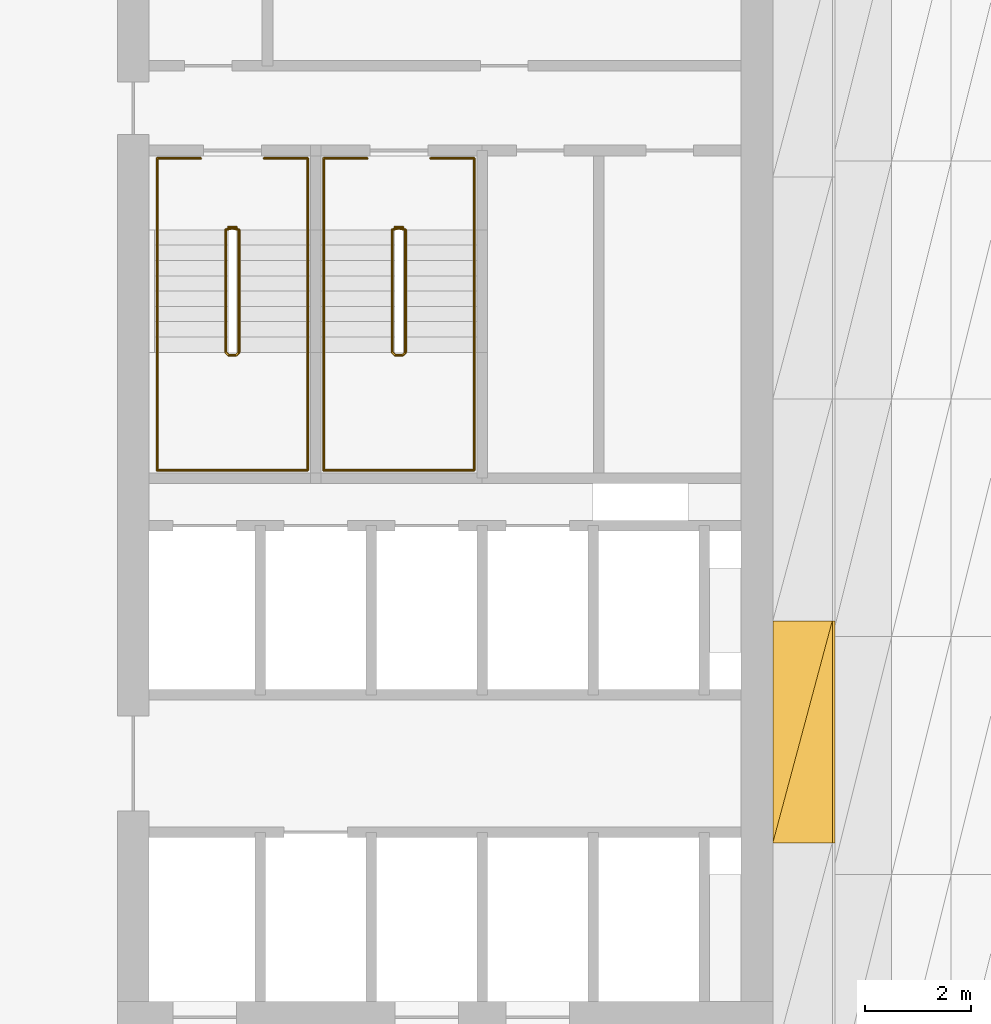
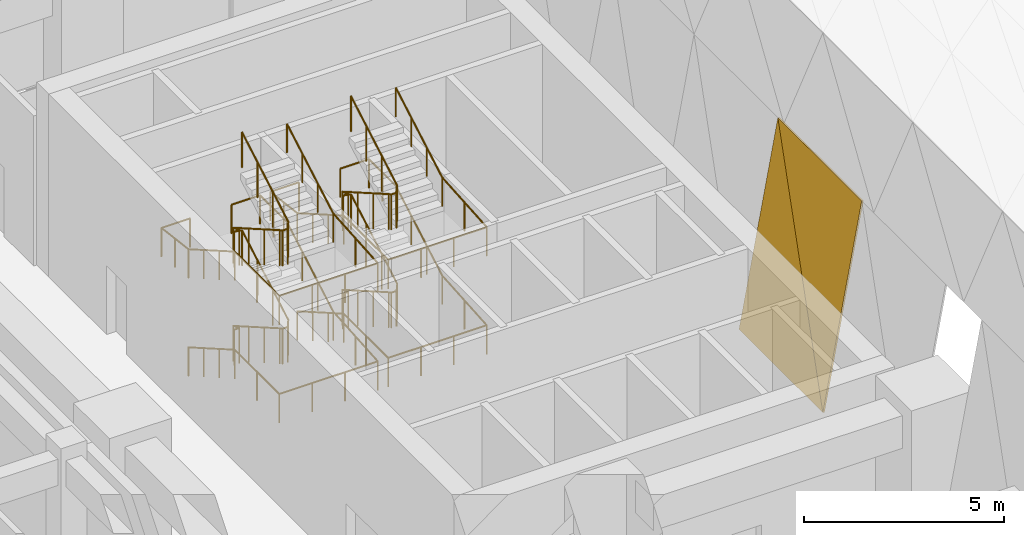
# One storey, part 41 of 46: 6 railings, 2 coverings.
"""IFC4 building model written with IfcOpenShell, lengths in metres."""

from ifc_helpers import new_model, si_unit, direction, frame, origin, origin_2d, place, context, subcontext, project, spatial, polyline, circle, outline, extrude, material, layer, layer_set, type_object, element, save


model = new_model("IFC4")

# Units and contexts
model_context = context("Model", 3, precision=1e-05, world=origin(), true_north=direction((0.0, 1.0)))
body_context = subcontext(model_context, "Body", "Model", "MODEL_VIEW")
ifc_project = project(units=[si_unit("LENGTHUNIT", "METRE"), si_unit("AREAUNIT", "SQUARE_METRE"), si_unit("VOLUMEUNIT", "CUBIC_METRE"), si_unit("PLANEANGLEUNIT", "RADIAN"), si_unit("MASSUNIT", "GRAM", prefix="KILO")], contexts=[model_context])

# Site, building, storey
site_placement = place(None, origin())
site = spatial("IfcSite", under=ifc_project, at=site_placement, CompositionType="ELEMENT")
building_placement = place(site_placement, origin())
building = spatial("IfcBuilding", under=site, at=building_placement, Name="Tessera Arch", CompositionType="ELEMENT")
storey_placement = place(building_placement, frame((0.0, 0.0, 8.0)))
storey = spatial("IfcBuildingStorey", under=building, at=storey_placement, Name="L01", CompositionType="ELEMENT", Elevation=8.0)

# Coverings
ifc_material_1 = material(Name="Aluminium cladding pale metal anodised", Category="aluminium")
ifc_layer = layer(ifc_material_1, 0.050048828125)
ifc_layer_set = layer_set([ifc_layer], Name="Arch soffit panel")
covering_type = type_object("IfcCoveringType", Name="Arch soffit panel", PredefinedType="CLADDING", material=ifc_layer_set)
covering_1_placement = place(storey_placement, frame((18.0, 32.10009765625, 2.0), z_axis=(-0.98331706381, 0.0, 0.181899840628), x_axis=(0.181899840628, 0.0, 0.98331706381)))
element("IfcCovering", 1, at=covering_1_placement, inside=storey, type_object=covering_type, Name="Arch soffit panel 1-8-1", PredefinedType="CLADDING", context=body_context, shape_type="SweptSolid", body=[
    extrude(outline(polyline([(0.0, 0.0), (6.184722296170829, 0.0), (6.184722296170829, 4.199951171875), (0.0, 0.0)])), origin(), (0.0, 0.0, -1.0), 0.050048828125),
])
covering_2_placement = place(storey_placement, frame((18.0, 32.10009765625, 2.0), z_axis=(-0.98331706381, 0.0, 0.181899840628), x_axis=(0.150481805158, 0.561792207927, 0.81347694585)))
element("IfcCovering", 2, at=covering_2_placement, inside=storey, type_object=covering_type, Name="Arch soffit panel 1-8-2", PredefinedType="CLADDING", context=body_context, shape_type="SweptSolid", body=[
    extrude(outline(polyline([(0.0, 0.0), (7.475986873108242, 4.440892098500626e-16), (2.3594998420322653, 3.474528794179709), (0.0, 0.0)])), origin(), (0.0, 0.0, -1.0), 0.050048828125),
])

# Railings
ifc_material_2 = material(Name="Painted steel balustrade", Category="steel")
railing_type_1 = type_object("IfcRailingType", Name="Stair guard 1100", PredefinedType="GUARDRAIL", material=ifc_material_2)
railing_1_placement = place(storey_placement, frame((7.699951171875, 43.75, 0.0)))
element("IfcRailing", 3, at=railing_1_placement, inside=storey, type_object=railing_type_1, Name="L01 S2a stair guard 1", PredefinedType="GUARDRAIL", context=body_context, shape_type="SweptSolid", body=[
    extrude(circle(Radius=0.02392578125, at=origin_2d()), frame((-0.00390625, 0.0, 1.076171875), z_axis=(1.0, 0.0, 0.0), x_axis=(0.0, 1.0, 0.0)), (0.0, 0.0, 1.0), 0.158203125),
    extrude(circle(Radius=0.02392578125, at=origin_2d()), frame((0.153076171875, 0.000732421875, 1.073486328125), z_axis=(-0.75457900375, -0.188644750937, 0.628509097026), x_axis=(0.242535625036, -0.970142500145, 0.0)), (0.0, 0.0, 1.0), 0.273193359375),
    extrude(circle(Radius=0.02392578125, at=origin_2d()), frame((-0.050048828125, -0.046630859375, 1.24072265625), z_axis=(0.0, -0.867033425039, 0.498249977285), x_axis=(1.0, 0.0, 0.0)), (0.0, 0.0, 1.0), 2.683837890625),
    extrude(circle(Radius=0.02392578125, at=origin_2d()), frame((-0.052978515625, -2.3671875, 2.576171875), z_axis=(0.708833529934, -0.705375805398, 0.0), x_axis=(0.705375805398, 0.708833529934, 0.0)), (0.0, 0.0, 1.0), 0.07861328125),
    extrude(circle(Radius=0.02392578125, at=origin_2d()), frame((-0.00390625, -2.419921875, 2.576171875), z_axis=(1.0, 0.0, 0.0), x_axis=(0.0, 1.0, 0.0)), (0.0, 0.0, 1.0), 0.158203125),
    extrude(circle(Radius=0.02392578125, at=origin_2d()), frame((0.14892578125, -2.421142578125, 2.572265625), z_axis=(0.275143339093, 0.275143339093, 0.92119068922), x_axis=(-0.707106781187, 0.707106781187, 0.0)), (0.0, 0.0, 1.0), 0.18896484375),
    extrude(circle(Radius=0.02392578125, at=origin_2d()), frame((0.199951171875, -2.37353515625, 2.74072265625), z_axis=(0.0, 0.867033425039, 0.498249977285), x_axis=(-1.0, 0.0, 0.0)), (0.0, 0.0, 1.0), 2.683837890625),
    extrude(circle(Radius=0.02392578125, at=origin_2d()), frame((0.203857421875, -0.051025390625, 4.076171875), z_axis=(-0.970072785993, 0.242814311512, 0.0), x_axis=(-0.242814311512, -0.970072785993, 0.0)), (0.0, 0.0, 1.0), 0.214111328125),
    extrude(circle(Radius=0.02392578125, at=origin_2d()), frame((-0.00390625, 0.0, 4.076171875), z_axis=(1.0, 0.0, 0.0), x_axis=(0.0, 1.0, 0.0)), (0.0, 0.0, 1.0), 0.158203125),
    extrude(circle(Radius=0.02392578125, at=origin_2d()), frame((0.153076171875, 0.000732421875, 4.073486328125), z_axis=(-0.75457900375, -0.188644750937, 0.628509097026), x_axis=(0.242535625036, -0.970142500145, 0.0)), (0.0, 0.0, 1.0), 0.273193359375),
    extrude(circle(Radius=0.02392578125, at=origin_2d()), frame((-0.050048828125, -0.046630859375, 4.24072265625), z_axis=(0.0, -0.867033425039, 0.498249977285), x_axis=(1.0, 0.0, 0.0)), (0.0, 0.0, 1.0), 2.683837890625),
    extrude(circle(Radius=0.02392578125, at=origin_2d()), frame((-0.052978515625, -2.3671875, 5.576171875), z_axis=(0.708833529934, -0.705375805398, 0.0), x_axis=(0.705375805398, 0.708833529934, 0.0)), (0.0, 0.0, 1.0), 0.07861328125),
    extrude(circle(Radius=0.02392578125, at=origin_2d()), frame((-0.00390625, -2.419921875, 5.576171875), z_axis=(1.0, 0.0, 0.0), x_axis=(0.0, 1.0, 0.0)), (0.0, 0.0, 1.0), 0.158203125),
    extrude(circle(Radius=0.02392578125, at=origin_2d()), frame((0.14892578125, -2.421142578125, 5.572265625), z_axis=(0.275143339093, 0.275143339093, 0.92119068922), x_axis=(-0.707106781187, 0.707106781187, 0.0)), (0.0, 0.0, 1.0), 0.18896484375),
    extrude(circle(Radius=0.02392578125, at=origin_2d()), frame((0.199951171875, -2.37353515625, 5.74072265625), z_axis=(0.0, 0.867033425039, 0.498249977285), x_axis=(-1.0, 0.0, 0.0)), (0.0, 0.0, 1.0), 2.683837890625),
    extrude(circle(Radius=0.02099609375, at=origin_2d()), origin(), (0.0, 0.0, 1.0), 1.06396484375),
    extrude(circle(Radius=0.02099609375, at=origin_2d()), frame((0.150146484375, 0.0, 0.0)), (0.0, 0.0, 1.0), 1.06396484375),
    extrude(circle(Radius=0.02099609375, at=origin_2d()), frame((-0.050048828125, -0.050048828125, 0.166748046875)), (0.0, 0.0, 1.0), 1.06396484375),
    extrude(circle(Radius=0.02099609375, at=origin_2d()), frame((-0.050048828125, -0.823486328125, 0.611083984375)), (0.0, 0.0, 1.0), 1.06396484375),
    extrude(circle(Radius=0.02099609375, at=origin_2d()), frame((-0.050048828125, -1.5966796875, 1.0556640625)), (0.0, 0.0, 1.0), 1.06396484375),
    extrude(circle(Radius=0.02099609375, at=origin_2d()), frame((-0.050048828125, -2.3701171875, 1.5)), (0.0, 0.0, 1.0), 1.06396484375),
    extrude(circle(Radius=0.02099609375, at=origin_2d()), frame((0.0, -2.419921875, 1.5)), (0.0, 0.0, 1.0), 1.06396484375),
    extrude(circle(Radius=0.02099609375, at=origin_2d()), frame((0.150146484375, -2.419921875, 1.5)), (0.0, 0.0, 1.0), 1.06396484375),
    extrude(circle(Radius=0.02099609375, at=origin_2d()), frame((0.199951171875, -2.3701171875, 1.666748046875)), (0.0, 0.0, 1.0), 1.06396484375),
    extrude(circle(Radius=0.02099609375, at=origin_2d()), frame((0.199951171875, -1.5966796875, 2.111083984375)), (0.0, 0.0, 1.0), 1.06396484375),
    extrude(circle(Radius=0.02099609375, at=origin_2d()), frame((0.199951171875, -0.823486328125, 2.5556640625)), (0.0, 0.0, 1.0), 1.06396484375),
    extrude(circle(Radius=0.02099609375, at=origin_2d()), frame((0.199951171875, -0.050048828125, 3.0)), (0.0, 0.0, 1.0), 1.06396484375),
    extrude(circle(Radius=0.02099609375, at=origin_2d()), frame((0.0, 0.0, 3.0)), (0.0, 0.0, 1.0), 1.06396484375),
    extrude(circle(Radius=0.02099609375, at=origin_2d()), frame((0.150146484375, 0.0, 3.0)), (0.0, 0.0, 1.0), 1.06396484375),
    extrude(circle(Radius=0.02099609375, at=origin_2d()), frame((-0.050048828125, -0.050048828125, 3.166748046875)), (0.0, 0.0, 1.0), 1.06396484375),
    extrude(circle(Radius=0.02099609375, at=origin_2d()), frame((-0.050048828125, -0.823486328125, 3.611083984375)), (0.0, 0.0, 1.0), 1.06396484375),
    extrude(circle(Radius=0.02099609375, at=origin_2d()), frame((-0.050048828125, -1.5966796875, 4.0556640625)), (0.0, 0.0, 1.0), 1.06396484375),
    extrude(circle(Radius=0.02099609375, at=origin_2d()), frame((-0.050048828125, -2.3701171875, 4.5)), (0.0, 0.0, 1.0), 1.06396484375),
    extrude(circle(Radius=0.02099609375, at=origin_2d()), frame((0.0, -2.419921875, 4.5)), (0.0, 0.0, 1.0), 1.06396484375),
    extrude(circle(Radius=0.02099609375, at=origin_2d()), frame((0.150146484375, -2.419921875, 4.5)), (0.0, 0.0, 1.0), 1.06396484375),
    extrude(circle(Radius=0.02099609375, at=origin_2d()), frame((0.199951171875, -2.3701171875, 4.666748046875)), (0.0, 0.0, 1.0), 1.06396484375),
    extrude(circle(Radius=0.02099609375, at=origin_2d()), frame((0.199951171875, -1.5966796875, 5.111083984375)), (0.0, 0.0, 1.0), 1.06396484375),
    extrude(circle(Radius=0.02099609375, at=origin_2d()), frame((0.199951171875, -0.823486328125, 5.5556640625)), (0.0, 0.0, 1.0), 1.06396484375),
    extrude(circle(Radius=0.02099609375, at=origin_2d()), frame((0.199951171875, -0.050048828125, 6.0)), (0.0, 0.0, 1.0), 1.06396484375),
])
railing_2_placement = place(storey_placement, frame((10.85009765625, 43.75, 0.0)))
element("IfcRailing", 4, at=railing_2_placement, inside=storey, type_object=railing_type_1, Name="L01 S2b stair guard 1", PredefinedType="GUARDRAIL", context=body_context, shape_type="SweptSolid", body=[
    extrude(circle(Radius=0.02392578125, at=origin_2d()), frame((-0.00390625, 0.0, 1.076171875), z_axis=(1.0, 0.0, 0.0), x_axis=(0.0, 1.0, 0.0)), (0.0, 0.0, 1.0), 0.157958984375),
    extrude(circle(Radius=0.02392578125, at=origin_2d()), frame((0.15283203125, 0.000732421875, 1.073486328125), z_axis=(-0.754182335027, -0.188775798145, 0.628945707965), x_axis=(0.242814311512, -0.970072785993, 0.0)), (0.0, 0.0, 1.0), 0.273193359375),
    extrude(circle(Radius=0.02392578125, at=origin_2d()), frame((-0.050048828125, -0.046630859375, 1.24072265625), z_axis=(0.0, -0.867033425039, 0.498249977285), x_axis=(1.0, 0.0, 0.0)), (0.0, 0.0, 1.0), 2.683837890625),
    extrude(circle(Radius=0.02392578125, at=origin_2d()), frame((-0.052978515625, -2.3671875, 2.576171875), z_axis=(0.708833529934, -0.705375805398, 0.0), x_axis=(0.705375805398, 0.708833529934, 0.0)), (0.0, 0.0, 1.0), 0.07861328125),
    extrude(circle(Radius=0.02392578125, at=origin_2d()), frame((-0.00390625, -2.419921875, 2.576171875), z_axis=(1.0, 0.0, 0.0), x_axis=(0.0, 1.0, 0.0)), (0.0, 0.0, 1.0), 0.157958984375),
    extrude(circle(Radius=0.02392578125, at=origin_2d()), frame((0.148681640625, -2.421142578125, 2.572265625), z_axis=(0.276389281352, 0.275041040955, 0.920848191041), x_axis=(-0.705375805398, 0.708833529934, 0.0)), (0.0, 0.0, 1.0), 0.18896484375),
    extrude(circle(Radius=0.02392578125, at=origin_2d()), frame((0.199951171875, -2.37353515625, 2.74072265625), z_axis=(0.0, 0.867033425039, 0.498249977285), x_axis=(-1.0, 0.0, 0.0)), (0.0, 0.0, 1.0), 2.683837890625),
    extrude(circle(Radius=0.02392578125, at=origin_2d()), frame((0.203857421875, -0.051025390625, 4.076171875), z_axis=(-0.970072785993, 0.242814311512, 0.0), x_axis=(-0.242814311512, -0.970072785993, 0.0)), (0.0, 0.0, 1.0), 0.214111328125),
    extrude(circle(Radius=0.02392578125, at=origin_2d()), frame((-0.00390625, 0.0, 4.076171875), z_axis=(1.0, 0.0, 0.0), x_axis=(0.0, 1.0, 0.0)), (0.0, 0.0, 1.0), 0.157958984375),
    extrude(circle(Radius=0.02392578125, at=origin_2d()), frame((0.15283203125, 0.000732421875, 4.073486328125), z_axis=(-0.754182335027, -0.188775798145, 0.628945707965), x_axis=(0.242814311512, -0.970072785993, 0.0)), (0.0, 0.0, 1.0), 0.273193359375),
    extrude(circle(Radius=0.02392578125, at=origin_2d()), frame((-0.050048828125, -0.046630859375, 4.24072265625), z_axis=(0.0, -0.867033425039, 0.498249977285), x_axis=(1.0, 0.0, 0.0)), (0.0, 0.0, 1.0), 2.683837890625),
    extrude(circle(Radius=0.02392578125, at=origin_2d()), frame((-0.052978515625, -2.3671875, 5.576171875), z_axis=(0.708833529934, -0.705375805398, 0.0), x_axis=(0.705375805398, 0.708833529934, 0.0)), (0.0, 0.0, 1.0), 0.07861328125),
    extrude(circle(Radius=0.02392578125, at=origin_2d()), frame((-0.00390625, -2.419921875, 5.576171875), z_axis=(1.0, 0.0, 0.0), x_axis=(0.0, 1.0, 0.0)), (0.0, 0.0, 1.0), 0.157958984375),
    extrude(circle(Radius=0.02392578125, at=origin_2d()), frame((0.148681640625, -2.421142578125, 5.572265625), z_axis=(0.276389281352, 0.275041040955, 0.920848191041), x_axis=(-0.705375805398, 0.708833529934, 0.0)), (0.0, 0.0, 1.0), 0.18896484375),
    extrude(circle(Radius=0.02392578125, at=origin_2d()), frame((0.199951171875, -2.37353515625, 5.74072265625), z_axis=(0.0, 0.867033425039, 0.498249977285), x_axis=(-1.0, 0.0, 0.0)), (0.0, 0.0, 1.0), 2.683837890625),
    extrude(circle(Radius=0.02099609375, at=origin_2d()), origin(), (0.0, 0.0, 1.0), 1.06396484375),
    extrude(circle(Radius=0.02099609375, at=origin_2d()), frame((0.14990234375, 0.0, 0.0)), (0.0, 0.0, 1.0), 1.06396484375),
    extrude(circle(Radius=0.02099609375, at=origin_2d()), frame((-0.050048828125, -0.050048828125, 0.166748046875)), (0.0, 0.0, 1.0), 1.06396484375),
    extrude(circle(Radius=0.02099609375, at=origin_2d()), frame((-0.050048828125, -0.823486328125, 0.611083984375)), (0.0, 0.0, 1.0), 1.06396484375),
    extrude(circle(Radius=0.02099609375, at=origin_2d()), frame((-0.050048828125, -1.5966796875, 1.0556640625)), (0.0, 0.0, 1.0), 1.06396484375),
    extrude(circle(Radius=0.02099609375, at=origin_2d()), frame((-0.050048828125, -2.3701171875, 1.5)), (0.0, 0.0, 1.0), 1.06396484375),
    extrude(circle(Radius=0.02099609375, at=origin_2d()), frame((0.0, -2.419921875, 1.5)), (0.0, 0.0, 1.0), 1.06396484375),
    extrude(circle(Radius=0.02099609375, at=origin_2d()), frame((0.14990234375, -2.419921875, 1.5)), (0.0, 0.0, 1.0), 1.06396484375),
    extrude(circle(Radius=0.02099609375, at=origin_2d()), frame((0.199951171875, -2.3701171875, 1.666748046875)), (0.0, 0.0, 1.0), 1.06396484375),
    extrude(circle(Radius=0.02099609375, at=origin_2d()), frame((0.199951171875, -1.5966796875, 2.111083984375)), (0.0, 0.0, 1.0), 1.06396484375),
    extrude(circle(Radius=0.02099609375, at=origin_2d()), frame((0.199951171875, -0.823486328125, 2.5556640625)), (0.0, 0.0, 1.0), 1.06396484375),
    extrude(circle(Radius=0.02099609375, at=origin_2d()), frame((0.199951171875, -0.050048828125, 3.0)), (0.0, 0.0, 1.0), 1.06396484375),
    extrude(circle(Radius=0.02099609375, at=origin_2d()), frame((0.0, 0.0, 3.0)), (0.0, 0.0, 1.0), 1.06396484375),
    extrude(circle(Radius=0.02099609375, at=origin_2d()), frame((0.14990234375, 0.0, 3.0)), (0.0, 0.0, 1.0), 1.06396484375),
    extrude(circle(Radius=0.02099609375, at=origin_2d()), frame((-0.050048828125, -0.050048828125, 3.166748046875)), (0.0, 0.0, 1.0), 1.06396484375),
    extrude(circle(Radius=0.02099609375, at=origin_2d()), frame((-0.050048828125, -0.823486328125, 3.611083984375)), (0.0, 0.0, 1.0), 1.06396484375),
    extrude(circle(Radius=0.02099609375, at=origin_2d()), frame((-0.050048828125, -1.5966796875, 4.0556640625)), (0.0, 0.0, 1.0), 1.06396484375),
    extrude(circle(Radius=0.02099609375, at=origin_2d()), frame((-0.050048828125, -2.3701171875, 4.5)), (0.0, 0.0, 1.0), 1.06396484375),
    extrude(circle(Radius=0.02099609375, at=origin_2d()), frame((0.0, -2.419921875, 4.5)), (0.0, 0.0, 1.0), 1.06396484375),
    extrude(circle(Radius=0.02099609375, at=origin_2d()), frame((0.14990234375, -2.419921875, 4.5)), (0.0, 0.0, 1.0), 1.06396484375),
    extrude(circle(Radius=0.02099609375, at=origin_2d()), frame((0.199951171875, -2.3701171875, 4.666748046875)), (0.0, 0.0, 1.0), 1.06396484375),
    extrude(circle(Radius=0.02099609375, at=origin_2d()), frame((0.199951171875, -1.5966796875, 5.111083984375)), (0.0, 0.0, 1.0), 1.06396484375),
    extrude(circle(Radius=0.02099609375, at=origin_2d()), frame((0.199951171875, -0.823486328125, 5.5556640625)), (0.0, 0.0, 1.0), 1.06396484375),
    extrude(circle(Radius=0.02099609375, at=origin_2d()), frame((0.199951171875, -0.050048828125, 6.0)), (0.0, 0.0, 1.0), 1.06396484375),
])
ifc_material_3 = material(Name="Painted steel handrail", Category="steel")
railing_type_2 = type_object("IfcRailingType", Name="Stair handrail 900", PredefinedType="HANDRAIL", material=ifc_material_3)
railing_3_placement = place(storey_placement, frame((6.35009765625, 43.699951171875, 0.166748046875)))
element("IfcRailing", 5, at=railing_3_placement, inside=storey, type_object=railing_type_2, Name="L01 S2a stair handrail", PredefinedType="HANDRAIL", context=body_context, shape_type="SweptSolid", body=[
    extrude(circle(Radius=0.02392578125, at=origin_2d()), frame((0.0, 0.00341796875, 0.873779296875), z_axis=(0.0, -0.867033425039, 0.498249977285), x_axis=(1.0, 0.0, 0.0)), (0.0, 0.0, 1.0), 2.683837890625),
    extrude(circle(Radius=0.02392578125, at=origin_2d()), frame((0.0, -2.316162109375, 2.208984375), z_axis=(0.0, -1.0, 0.0), x_axis=(1.0, 0.0, 0.0)), (0.0, 0.0, 1.0), 2.238037109375),
    extrude(circle(Radius=0.02392578125, at=origin_2d()), frame((-0.00390625, -4.550048828125, 2.208984375), z_axis=(1.0, 0.0, 0.0), x_axis=(0.0, 1.0, 0.0)), (0.0, 0.0, 1.0), 2.85791015625),
    extrude(circle(Radius=0.02392578125, at=origin_2d()), frame((2.849853515625, -4.553955078125, 2.208740234375), z_axis=(0.0, 0.997215977011, 0.074567386939), x_axis=(-1.0, 0.0, 0.0)), (0.0, 0.0, 1.0), 2.244140625),
    extrude(circle(Radius=0.02392578125, at=origin_2d()), frame((2.849853515625, -2.323486328125, 2.373779296875), z_axis=(0.0, 0.867033425039, 0.498249977285), x_axis=(-1.0, 0.0, 0.0)), (0.0, 0.0, 1.0), 2.683837890625),
    extrude(circle(Radius=0.02392578125, at=origin_2d()), frame((2.849853515625, -0.00390625, 3.708984375), z_axis=(0.0, 1.0, 0.0), x_axis=(-1.0, 0.0, 0.0)), (0.0, 0.0, 1.0), 1.358154296875),
    extrude(circle(Radius=0.02392578125, at=origin_2d()), frame((2.853759765625, 1.35009765625, 3.708984375), z_axis=(-1.0, 0.0, 0.0), x_axis=(0.0, -1.0, 0.0)), (0.0, 0.0, 1.0), 0.8330078125),
    extrude(circle(Radius=0.02099609375, at=origin_2d()), origin(), (0.0, 0.0, 1.0), 0.86376953125),
    extrude(circle(Radius=0.02099609375, at=origin_2d()), frame((0.0, -0.7734375, 0.4443359375)), (0.0, 0.0, 1.0), 0.86376953125),
    extrude(circle(Radius=0.02099609375, at=origin_2d()), frame((0.0, -1.546630859375, 0.888916015625)), (0.0, 0.0, 1.0), 0.86376953125),
    extrude(circle(Radius=0.02099609375, at=origin_2d()), frame((0.0, -2.320068359375, 1.333251953125)), (0.0, 0.0, 1.0), 0.86376953125),
    extrude(circle(Radius=0.02099609375, at=origin_2d()), frame((0.0, -3.43505859375, 1.333251953125)), (0.0, 0.0, 1.0), 0.86376953125),
    extrude(circle(Radius=0.02099609375, at=origin_2d()), frame((0.0, -4.550048828125, 1.333251953125)), (0.0, 0.0, 1.0), 0.86376953125),
    extrude(circle(Radius=0.02099609375, at=origin_2d()), frame((0.949951171875, -4.550048828125, 1.333251953125)), (0.0, 0.0, 1.0), 0.86376953125),
    extrude(circle(Radius=0.02099609375, at=origin_2d()), frame((1.89990234375, -4.550048828125, 1.333251953125)), (0.0, 0.0, 1.0), 0.86376953125),
    extrude(circle(Radius=0.02099609375, at=origin_2d()), frame((2.849853515625, -4.550048828125, 1.333251953125)), (0.0, 0.0, 1.0), 0.86376953125),
    extrude(circle(Radius=0.02099609375, at=origin_2d()), frame((2.849853515625, -3.43505859375, 1.41650390625)), (0.0, 0.0, 1.0), 0.86376953125),
    extrude(circle(Radius=0.02099609375, at=origin_2d()), frame((2.849853515625, -2.320068359375, 1.5)), (0.0, 0.0, 1.0), 0.86376953125),
    extrude(circle(Radius=0.02099609375, at=origin_2d()), frame((2.849853515625, -1.546630859375, 1.9443359375)), (0.0, 0.0, 1.0), 0.86376953125),
    extrude(circle(Radius=0.02099609375, at=origin_2d()), frame((2.849853515625, -0.7734375, 2.388916015625)), (0.0, 0.0, 1.0), 0.86376953125),
    extrude(circle(Radius=0.02099609375, at=origin_2d()), frame((2.849853515625, 0.0, 2.833251953125)), (0.0, 0.0, 1.0), 0.86376953125),
    extrude(circle(Radius=0.02099609375, at=origin_2d()), frame((2.849853515625, 0.675048828125, 2.833251953125)), (0.0, 0.0, 1.0), 0.86376953125),
    extrude(circle(Radius=0.02099609375, at=origin_2d()), frame((2.849853515625, 1.35009765625, 2.833251953125)), (0.0, 0.0, 1.0), 0.86376953125),
    extrude(circle(Radius=0.02099609375, at=origin_2d()), frame((2.02490234375, 1.35009765625, 2.833251953125)), (0.0, 0.0, 1.0), 0.86376953125),
])
railing_4_placement = place(storey_placement, frame((7.175048828125, 45.050048828125, 3.0)))
element("IfcRailing", 6, at=railing_4_placement, inside=storey, type_object=railing_type_2, Name="L01 S2a stair handrail 2", PredefinedType="HANDRAIL", context=body_context, shape_type="SweptSolid", body=[
    extrude(circle(Radius=0.02392578125, at=origin_2d()), frame((0.00390625, 0.0, 0.8759765625), z_axis=(-1.0, 0.0, 0.0), x_axis=(0.0, -1.0, 0.0)), (0.0, 0.0, 1.0), 0.8330078125),
    extrude(circle(Radius=0.02392578125, at=origin_2d()), frame((-0.824951171875, 0.00390625, 0.875244140625), z_axis=(0.0, -0.992459035033, 0.122576766895), x_axis=(1.0, 0.0, 0.0)), (0.0, 0.0, 1.0), 1.368408203125),
    extrude(circle(Radius=0.02392578125, at=origin_2d()), frame((-0.824951171875, -1.3466796875, 1.04052734375), z_axis=(0.0, -0.867033425039, 0.498249977285), x_axis=(1.0, 0.0, 0.0)), (0.0, 0.0, 1.0), 2.683837890625),
    extrude(circle(Radius=0.02392578125, at=origin_2d()), frame((-0.824951171875, -3.666259765625, 2.3759765625), z_axis=(0.0, -1.0, 0.0), x_axis=(1.0, 0.0, 0.0)), (0.0, 0.0, 1.0), 2.238037109375),
    extrude(circle(Radius=0.02392578125, at=origin_2d()), frame((-0.828857421875, -5.900146484375, 2.3759765625), z_axis=(1.0, 0.0, 0.0), x_axis=(0.0, 1.0, 0.0)), (0.0, 0.0, 1.0), 2.85791015625),
    extrude(circle(Radius=0.02392578125, at=origin_2d()), frame((2.02490234375, -5.904052734375, 2.37548828125), z_axis=(0.0, 0.997215977011, 0.074567386939), x_axis=(-1.0, 0.0, 0.0)), (0.0, 0.0, 1.0), 2.244140625),
    extrude(circle(Radius=0.02392578125, at=origin_2d()), frame((2.02490234375, -3.673583984375, 2.54052734375), z_axis=(0.0, 0.867033425039, 0.498249977285), x_axis=(-1.0, 0.0, 0.0)), (0.0, 0.0, 1.0), 2.683837890625),
    extrude(circle(Radius=0.02099609375, at=origin_2d()), origin(), (0.0, 0.0, 1.0), 0.86376953125),
    extrude(circle(Radius=0.02099609375, at=origin_2d()), frame((-0.824951171875, 0.0, 0.0)), (0.0, 0.0, 1.0), 0.86376953125),
    extrude(circle(Radius=0.02099609375, at=origin_2d()), frame((-0.824951171875, -0.675048828125, 0.08349609375)), (0.0, 0.0, 1.0), 0.86376953125),
    extrude(circle(Radius=0.02099609375, at=origin_2d()), frame((-0.824951171875, -1.35009765625, 0.166748046875)), (0.0, 0.0, 1.0), 0.86376953125),
    extrude(circle(Radius=0.02099609375, at=origin_2d()), frame((-0.824951171875, -2.12353515625, 0.611083984375)), (0.0, 0.0, 1.0), 0.86376953125),
    extrude(circle(Radius=0.02099609375, at=origin_2d()), frame((-0.824951171875, -2.896728515625, 1.0556640625)), (0.0, 0.0, 1.0), 0.86376953125),
    extrude(circle(Radius=0.02099609375, at=origin_2d()), frame((-0.824951171875, -3.670166015625, 1.5)), (0.0, 0.0, 1.0), 0.86376953125),
    extrude(circle(Radius=0.02099609375, at=origin_2d()), frame((-0.824951171875, -4.78515625, 1.5)), (0.0, 0.0, 1.0), 0.86376953125),
    extrude(circle(Radius=0.02099609375, at=origin_2d()), frame((-0.824951171875, -5.900146484375, 1.5)), (0.0, 0.0, 1.0), 0.86376953125),
    extrude(circle(Radius=0.02099609375, at=origin_2d()), frame((0.125, -5.900146484375, 1.5)), (0.0, 0.0, 1.0), 0.86376953125),
    extrude(circle(Radius=0.02099609375, at=origin_2d()), frame((1.074951171875, -5.900146484375, 1.5)), (0.0, 0.0, 1.0), 0.86376953125),
    extrude(circle(Radius=0.02099609375, at=origin_2d()), frame((2.02490234375, -5.900146484375, 1.5)), (0.0, 0.0, 1.0), 0.86376953125),
    extrude(circle(Radius=0.02099609375, at=origin_2d()), frame((2.02490234375, -4.78515625, 1.58349609375)), (0.0, 0.0, 1.0), 0.86376953125),
    extrude(circle(Radius=0.02099609375, at=origin_2d()), frame((2.02490234375, -3.670166015625, 1.666748046875)), (0.0, 0.0, 1.0), 0.86376953125),
    extrude(circle(Radius=0.02099609375, at=origin_2d()), frame((2.02490234375, -2.896728515625, 2.111083984375)), (0.0, 0.0, 1.0), 0.86376953125),
    extrude(circle(Radius=0.02099609375, at=origin_2d()), frame((2.02490234375, -2.12353515625, 2.5556640625)), (0.0, 0.0, 1.0), 0.86376953125),
    extrude(circle(Radius=0.02099609375, at=origin_2d()), frame((2.02490234375, -1.35009765625, 3.0)), (0.0, 0.0, 1.0), 0.86376953125),
])
railing_5_placement = place(storey_placement, frame((9.5, 43.699951171875, 0.166748046875)))
element("IfcRailing", 7, at=railing_5_placement, inside=storey, type_object=railing_type_2, Name="L01 S2b stair handrail", PredefinedType="HANDRAIL", context=body_context, shape_type="SweptSolid", body=[
    extrude(circle(Radius=0.02392578125, at=origin_2d()), frame((0.0, 0.00341796875, 0.873779296875), z_axis=(0.0, -0.867033425039, 0.498249977285), x_axis=(1.0, 0.0, 0.0)), (0.0, 0.0, 1.0), 2.683837890625),
    extrude(circle(Radius=0.02392578125, at=origin_2d()), frame((0.0, -2.316162109375, 2.208984375), z_axis=(0.0, -1.0, 0.0), x_axis=(1.0, 0.0, 0.0)), (0.0, 0.0, 1.0), 2.238037109375),
    extrude(circle(Radius=0.02392578125, at=origin_2d()), frame((-0.00390625, -4.550048828125, 2.208984375), z_axis=(1.0, 0.0, 0.0), x_axis=(0.0, 1.0, 0.0)), (0.0, 0.0, 1.0), 2.858154296875),
    extrude(circle(Radius=0.02392578125, at=origin_2d()), frame((2.85009765625, -4.553955078125, 2.208740234375), z_axis=(0.0, 0.997215977011, 0.074567386939), x_axis=(-1.0, 0.0, 0.0)), (0.0, 0.0, 1.0), 2.244140625),
    extrude(circle(Radius=0.02392578125, at=origin_2d()), frame((2.85009765625, -2.323486328125, 2.373779296875), z_axis=(0.0, 0.867033425039, 0.498249977285), x_axis=(-1.0, 0.0, 0.0)), (0.0, 0.0, 1.0), 2.683837890625),
    extrude(circle(Radius=0.02392578125, at=origin_2d()), frame((2.85009765625, -0.00390625, 3.708984375), z_axis=(0.0, 1.0, 0.0), x_axis=(-1.0, 0.0, 0.0)), (0.0, 0.0, 1.0), 1.358154296875),
    extrude(circle(Radius=0.02392578125, at=origin_2d()), frame((2.85400390625, 1.35009765625, 3.708984375), z_axis=(-1.0, 0.0, 0.0), x_axis=(0.0, -1.0, 0.0)), (0.0, 0.0, 1.0), 0.833251953125),
    extrude(circle(Radius=0.02099609375, at=origin_2d()), origin(), (0.0, 0.0, 1.0), 0.86376953125),
    extrude(circle(Radius=0.02099609375, at=origin_2d()), frame((0.0, -0.7734375, 0.4443359375)), (0.0, 0.0, 1.0), 0.86376953125),
    extrude(circle(Radius=0.02099609375, at=origin_2d()), frame((0.0, -1.546630859375, 0.888916015625)), (0.0, 0.0, 1.0), 0.86376953125),
    extrude(circle(Radius=0.02099609375, at=origin_2d()), frame((0.0, -2.320068359375, 1.333251953125)), (0.0, 0.0, 1.0), 0.86376953125),
    extrude(circle(Radius=0.02099609375, at=origin_2d()), frame((0.0, -3.43505859375, 1.333251953125)), (0.0, 0.0, 1.0), 0.86376953125),
    extrude(circle(Radius=0.02099609375, at=origin_2d()), frame((0.0, -4.550048828125, 1.333251953125)), (0.0, 0.0, 1.0), 0.86376953125),
    extrude(circle(Radius=0.02099609375, at=origin_2d()), frame((0.949951171875, -4.550048828125, 1.333251953125)), (0.0, 0.0, 1.0), 0.86376953125),
    extrude(circle(Radius=0.02099609375, at=origin_2d()), frame((1.900146484375, -4.550048828125, 1.333251953125)), (0.0, 0.0, 1.0), 0.86376953125),
    extrude(circle(Radius=0.02099609375, at=origin_2d()), frame((2.85009765625, -4.550048828125, 1.333251953125)), (0.0, 0.0, 1.0), 0.86376953125),
    extrude(circle(Radius=0.02099609375, at=origin_2d()), frame((2.85009765625, -3.43505859375, 1.41650390625)), (0.0, 0.0, 1.0), 0.86376953125),
    extrude(circle(Radius=0.02099609375, at=origin_2d()), frame((2.85009765625, -2.320068359375, 1.5)), (0.0, 0.0, 1.0), 0.86376953125),
    extrude(circle(Radius=0.02099609375, at=origin_2d()), frame((2.85009765625, -1.546630859375, 1.9443359375)), (0.0, 0.0, 1.0), 0.86376953125),
    extrude(circle(Radius=0.02099609375, at=origin_2d()), frame((2.85009765625, -0.7734375, 2.388916015625)), (0.0, 0.0, 1.0), 0.86376953125),
    extrude(circle(Radius=0.02099609375, at=origin_2d()), frame((2.85009765625, 0.0, 2.833251953125)), (0.0, 0.0, 1.0), 0.86376953125),
    extrude(circle(Radius=0.02099609375, at=origin_2d()), frame((2.85009765625, 0.675048828125, 2.833251953125)), (0.0, 0.0, 1.0), 0.86376953125),
    extrude(circle(Radius=0.02099609375, at=origin_2d()), frame((2.85009765625, 1.35009765625, 2.833251953125)), (0.0, 0.0, 1.0), 0.86376953125),
    extrude(circle(Radius=0.02099609375, at=origin_2d()), frame((2.02490234375, 1.35009765625, 2.833251953125)), (0.0, 0.0, 1.0), 0.86376953125),
])
railing_6_placement = place(storey_placement, frame((10.324951171875, 45.050048828125, 3.0)))
element("IfcRailing", 8, at=railing_6_placement, inside=storey, type_object=railing_type_2, Name="L01 S2b stair handrail 2", PredefinedType="HANDRAIL", context=body_context, shape_type="SweptSolid", body=[
    extrude(circle(Radius=0.02392578125, at=origin_2d()), frame((0.00390625, 0.0, 0.8759765625), z_axis=(-1.0, 0.0, 0.0), x_axis=(0.0, -1.0, 0.0)), (0.0, 0.0, 1.0), 0.8330078125),
    extrude(circle(Radius=0.02392578125, at=origin_2d()), frame((-0.824951171875, 0.00390625, 0.875244140625), z_axis=(0.0, -0.992459035033, 0.122576766895), x_axis=(1.0, 0.0, 0.0)), (0.0, 0.0, 1.0), 1.368408203125),
    extrude(circle(Radius=0.02392578125, at=origin_2d()), frame((-0.824951171875, -1.3466796875, 1.04052734375), z_axis=(0.0, -0.867033425039, 0.498249977285), x_axis=(1.0, 0.0, 0.0)), (0.0, 0.0, 1.0), 2.683837890625),
    extrude(circle(Radius=0.02392578125, at=origin_2d()), frame((-0.824951171875, -3.666259765625, 2.3759765625), z_axis=(0.0, -1.0, 0.0), x_axis=(1.0, 0.0, 0.0)), (0.0, 0.0, 1.0), 2.238037109375),
    extrude(circle(Radius=0.02392578125, at=origin_2d()), frame((-0.828857421875, -5.900146484375, 2.3759765625), z_axis=(1.0, 0.0, 0.0), x_axis=(0.0, 1.0, 0.0)), (0.0, 0.0, 1.0), 2.858154296875),
    extrude(circle(Radius=0.02392578125, at=origin_2d()), frame((2.025146484375, -5.904052734375, 2.37548828125), z_axis=(0.0, 0.997215977011, 0.074567386939), x_axis=(-1.0, 0.0, 0.0)), (0.0, 0.0, 1.0), 2.244140625),
    extrude(circle(Radius=0.02392578125, at=origin_2d()), frame((2.025146484375, -3.673583984375, 2.54052734375), z_axis=(0.0, 0.867033425039, 0.498249977285), x_axis=(-1.0, 0.0, 0.0)), (0.0, 0.0, 1.0), 2.683837890625),
    extrude(circle(Radius=0.02099609375, at=origin_2d()), origin(), (0.0, 0.0, 1.0), 0.86376953125),
    extrude(circle(Radius=0.02099609375, at=origin_2d()), frame((-0.824951171875, 0.0, 0.0)), (0.0, 0.0, 1.0), 0.86376953125),
    extrude(circle(Radius=0.02099609375, at=origin_2d()), frame((-0.824951171875, -0.675048828125, 0.08349609375)), (0.0, 0.0, 1.0), 0.86376953125),
    extrude(circle(Radius=0.02099609375, at=origin_2d()), frame((-0.824951171875, -1.35009765625, 0.166748046875)), (0.0, 0.0, 1.0), 0.86376953125),
    extrude(circle(Radius=0.02099609375, at=origin_2d()), frame((-0.824951171875, -2.12353515625, 0.611083984375)), (0.0, 0.0, 1.0), 0.86376953125),
    extrude(circle(Radius=0.02099609375, at=origin_2d()), frame((-0.824951171875, -2.896728515625, 1.0556640625)), (0.0, 0.0, 1.0), 0.86376953125),
    extrude(circle(Radius=0.02099609375, at=origin_2d()), frame((-0.824951171875, -3.670166015625, 1.5)), (0.0, 0.0, 1.0), 0.86376953125),
    extrude(circle(Radius=0.02099609375, at=origin_2d()), frame((-0.824951171875, -4.78515625, 1.5)), (0.0, 0.0, 1.0), 0.86376953125),
    extrude(circle(Radius=0.02099609375, at=origin_2d()), frame((-0.824951171875, -5.900146484375, 1.5)), (0.0, 0.0, 1.0), 0.86376953125),
    extrude(circle(Radius=0.02099609375, at=origin_2d()), frame((0.125, -5.900146484375, 1.5)), (0.0, 0.0, 1.0), 0.86376953125),
    extrude(circle(Radius=0.02099609375, at=origin_2d()), frame((1.0751953125, -5.900146484375, 1.5)), (0.0, 0.0, 1.0), 0.86376953125),
    extrude(circle(Radius=0.02099609375, at=origin_2d()), frame((2.025146484375, -5.900146484375, 1.5)), (0.0, 0.0, 1.0), 0.86376953125),
    extrude(circle(Radius=0.02099609375, at=origin_2d()), frame((2.025146484375, -4.78515625, 1.58349609375)), (0.0, 0.0, 1.0), 0.86376953125),
    extrude(circle(Radius=0.02099609375, at=origin_2d()), frame((2.025146484375, -3.670166015625, 1.666748046875)), (0.0, 0.0, 1.0), 0.86376953125),
    extrude(circle(Radius=0.02099609375, at=origin_2d()), frame((2.025146484375, -2.896728515625, 2.111083984375)), (0.0, 0.0, 1.0), 0.86376953125),
    extrude(circle(Radius=0.02099609375, at=origin_2d()), frame((2.025146484375, -2.12353515625, 2.5556640625)), (0.0, 0.0, 1.0), 0.86376953125),
    extrude(circle(Radius=0.02099609375, at=origin_2d()), frame((2.025146484375, -1.35009765625, 3.0)), (0.0, 0.0, 1.0), 0.86376953125),
])

save(model, "model.ifc")
